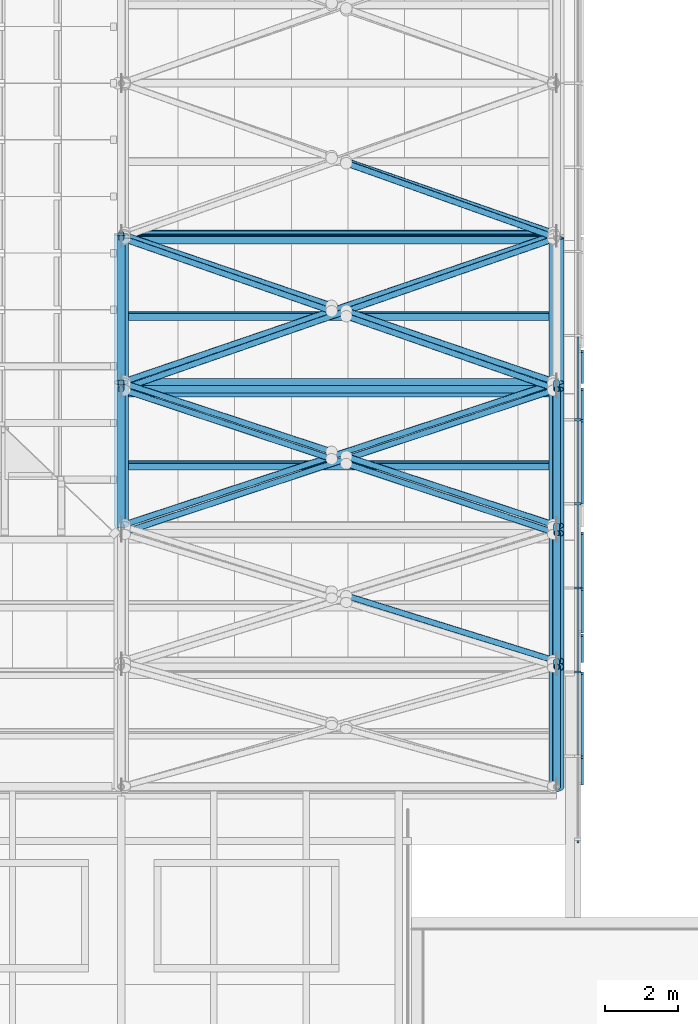
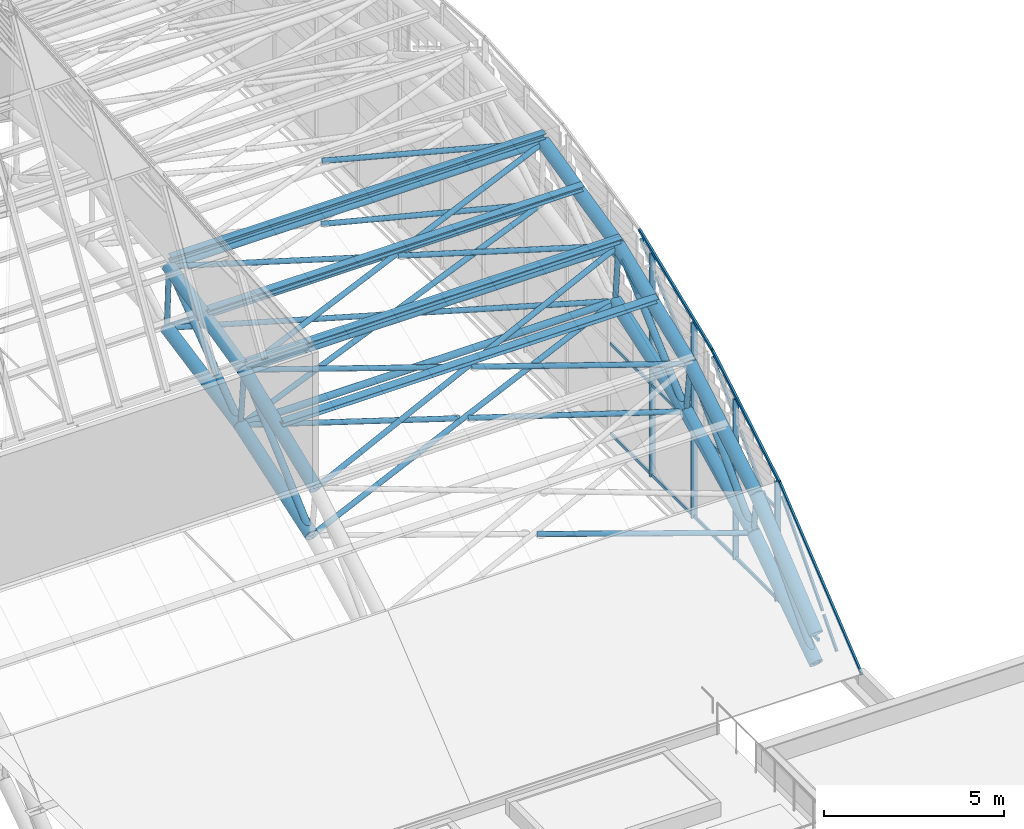
# One storey, part 30 of 110: 69 members, 1 element without a shape of its own.
"""IFC4 building model written with IfcOpenShell, lengths in metres."""

from ifc_helpers import new_model, si_unit, direction, frame, origin, origin_2d, place, context, subcontext, project, spatial, rectangle, hollow_circle, i_section, extrude, material, layer, layer_set, material_profile, profile_set, type_object, element, aggregate, save


model = new_model("IFC4")

# Units and contexts
model_context = context("Model", 3, precision=1e-05, world=origin(), true_north=direction((0.0, 1.0)))
body_context = subcontext(model_context, "Body", "Model", "MODEL_VIEW")
ifc_project = project(units=[si_unit("LENGTHUNIT", "METRE"), si_unit("AREAUNIT", "SQUARE_METRE"), si_unit("VOLUMEUNIT", "CUBIC_METRE"), si_unit("PLANEANGLEUNIT", "RADIAN"), si_unit("MASSUNIT", "GRAM", prefix="KILO")], contexts=[model_context])

# Site, building, storey
site_placement = place(None, origin())
site = spatial("IfcSite", under=ifc_project, at=site_placement, CompositionType="ELEMENT")
building_placement = place(site_placement, origin())
building = spatial("IfcBuilding", under=site, at=building_placement, Name="Windward Yard Aquatics Centre", CompositionType="ELEMENT")
storey_placement = place(building_placement, frame((0.0, 0.0, 22.60009765625)))
storey = spatial("IfcBuildingStorey", under=building, at=storey_placement, Name="L05", CompositionType="ELEMENT", Elevation=22.60009765625)

# Curtain wall, members
ifc_material_1 = material(Name="Glass and aluminium curtain wall", Category="aluminium")
ifc_layer = layer(ifc_material_1, 0.179931640625)
ifc_layer_set = layer_set([ifc_layer], Name="H gable glazing system double glazed 8+16+8")
curtain_wall_type = type_object("IfcCurtainWallType", Name="H gable glazing system double glazed 8+16+8", PredefinedType="NOTDEFINED", material=ifc_layer_set)
curtain_wall_placement = place(storey_placement, origin())
curtain_wall = element("IfcCurtainWall", 1, at=curtain_wall_placement, inside=storey, type_object=curtain_wall_type, Name="Gable glazing E", PredefinedType="NOTDEFINED")
ifc_material_2 = material(Name="Aluminium 6063-T6 anodised", Category="aluminium")
ifc_material_profile_1 = material_profile(ifc_material_2, rectangle(XDim=0.06494140625, YDim=0.179931640625, at=origin_2d()), Name="H CW mullion 65x180")
ifc_profile_set_1 = profile_set([ifc_material_profile_1], Name="Aluminium 6063-T6 anodised")
member_type_1 = type_object("IfcMemberType", Name="H CW mullion 65x180", PredefinedType="MULLION", material=ifc_profile_set_1)
member_1_placement = place(storey_placement, frame((144.590087890625, 44.765380859375, 0.0), z_axis=(0.0, 0.0, 1.0), x_axis=(0.0, 1.0, 0.0)))
member_1 = element("IfcMember", 2, at=member_1_placement, type_object=member_type_1, Name="Gable mullion 3", PredefinedType="MULLION", context=body_context, shape_type="SweptSolid", body=[
    extrude(rectangle(XDim=0.06494140625, YDim=0.179931640625, at=origin_2d()), origin(), (0.0, 0.0, 1.0), 4.061767578125),
])
member_2_placement = place(storey_placement, frame((144.590087890625, 47.08447265625, 0.0), z_axis=(0.0, 0.0, 1.0), x_axis=(0.0, 1.0, 0.0)))
member_2 = element("IfcMember", 3, at=member_2_placement, type_object=member_type_1, Name="Gable mullion 4", PredefinedType="MULLION", context=body_context, shape_type="SweptSolid", body=[
    extrude(rectangle(XDim=0.06494140625, YDim=0.179931640625, at=origin_2d()), origin(), (0.0, 0.0, 1.0), 5.436279296875),
])
member_3_placement = place(storey_placement, frame((144.590087890625, 49.40380859375, 0.0), z_axis=(0.0, 0.0, 1.0), x_axis=(0.0, 1.0, 0.0)))
member_3 = element("IfcMember", 4, at=member_3_placement, type_object=member_type_1, Name="Gable mullion 5", PredefinedType="MULLION", context=body_context, shape_type="SweptSolid", body=[
    extrude(rectangle(XDim=0.06494140625, YDim=0.179931640625, at=origin_2d()), origin(), (0.0, 0.0, 1.0), 6.629150390625),
])
member_4_placement = place(storey_placement, frame((144.590087890625, 51.72314453125, 0.0), z_axis=(0.0, 0.0, 1.0), x_axis=(0.0, 1.0, 0.0)))
member_4 = element("IfcMember", 5, at=member_4_placement, type_object=member_type_1, Name="Gable mullion 6", PredefinedType="MULLION", context=body_context, shape_type="SweptSolid", body=[
    extrude(rectangle(XDim=0.06494140625, YDim=0.179931640625, at=origin_2d()), origin(), (0.0, 0.0, 1.0), 7.561279296875),
])
ifc_material_profile_2 = material_profile(ifc_material_2, rectangle(XDim=0.06494140625, YDim=0.10009765625, at=origin_2d()), Name="H CW transom 65x100")
ifc_profile_set_2 = profile_set([ifc_material_profile_2], Name="Aluminium 6063-T6 anodised")
member_type_2 = type_object("IfcMemberType", Name="H CW transom 65x100", PredefinedType="USERDEFINED", material=ifc_profile_set_2)
member_5_placement = place(storey_placement, frame((144.590087890625, 40.088623046875, 0.322998046875), z_axis=(0.0, 0.772760999617, 0.634697122627), x_axis=(-1.0, 0.0, 0.0)))
member_5 = element("IfcMember", 6, at=member_5_placement, type_object=member_type_2, Name="Gable head rail 1", ObjectType="TRANSOM", PredefinedType="USERDEFINED", context=body_context, shape_type="SweptSolid", body=[
    extrude(rectangle(XDim=0.06494140625, YDim=0.10009765625, at=origin_2d()), origin(), (0.0, 0.0, 1.0), 5.907958984375),
])
member_6_placement = place(storey_placement, frame((144.590087890625, 44.660400390625, 4.076904296875), z_axis=(0.0, 0.860254982192, 0.50986406582), x_axis=(-1.0, 0.0, 0.0)))
member_6 = element("IfcMember", 7, at=member_6_placement, type_object=member_type_2, Name="Gable head rail 2", ObjectType="TRANSOM", PredefinedType="USERDEFINED", context=body_context, shape_type="SweptSolid", body=[
    extrude(rectangle(XDim=0.06494140625, YDim=0.10009765625, at=origin_2d()), origin(), (0.0, 0.0, 1.0), 4.340087890625),
])
member_7_placement = place(storey_placement, frame((144.590087890625, 48.40087890625, 6.29296875), z_axis=(0.0, 0.927866338697, 0.372912935566), x_axis=(-1.0, 0.0, 0.0)))
member_7 = element("IfcMember", 8, at=member_7_placement, type_object=member_type_2, Name="Gable head rail 3", ObjectType="TRANSOM", PredefinedType="USERDEFINED", context=body_context, shape_type="SweptSolid", body=[
    extrude(rectangle(XDim=0.06494140625, YDim=0.10009765625, at=origin_2d()), origin(), (0.0, 0.0, 1.0), 4.33984375),
])
member_8_placement = place(storey_placement, frame((144.590087890625, 42.478515625, 0.0498046875), z_axis=(0.0, 1.0, 0.0), x_axis=(-1.0, 0.0, 0.0)))
member_8 = element("IfcMember", 9, at=member_8_placement, type_object=member_type_2, Name="Gable transom 2.1", ObjectType="TRANSOM", PredefinedType="USERDEFINED", context=body_context, shape_type="SweptSolid", body=[
    extrude(rectangle(XDim=0.06494140625, YDim=0.10009765625, at=origin_2d()), origin(), (0.0, 0.0, 1.0), 2.25439453125),
])
member_9_placement = place(storey_placement, frame((144.590087890625, 44.7978515625, 0.0498046875), z_axis=(0.0, 1.0, 0.0), x_axis=(-1.0, 0.0, 0.0)))
member_9 = element("IfcMember", 10, at=member_9_placement, type_object=member_type_2, Name="Gable transom 3.1", ObjectType="TRANSOM", PredefinedType="USERDEFINED", context=body_context, shape_type="SweptSolid", body=[
    extrude(rectangle(XDim=0.06494140625, YDim=0.10009765625, at=origin_2d()), origin(), (0.0, 0.0, 1.0), 2.254150390625),
])
member_10_placement = place(storey_placement, frame((144.590087890625, 44.7978515625, 3.099853515625), z_axis=(0.0, 1.0, 0.0), x_axis=(-1.0, 0.0, 0.0)))
member_10 = element("IfcMember", 11, at=member_10_placement, type_object=member_type_2, Name="Gable transom 3.2", ObjectType="TRANSOM", PredefinedType="USERDEFINED", context=body_context, shape_type="SweptSolid", body=[
    extrude(rectangle(XDim=0.06494140625, YDim=0.10009765625, at=origin_2d()), origin(), (0.0, 0.0, 1.0), 2.254150390625),
])
member_11_placement = place(storey_placement, frame((144.590087890625, 47.1171875, 0.0498046875), z_axis=(0.0, 1.0, 0.0), x_axis=(-1.0, 0.0, 0.0)))
member_11 = element("IfcMember", 12, at=member_11_placement, type_object=member_type_2, Name="Gable transom 4.1", ObjectType="TRANSOM", PredefinedType="USERDEFINED", context=body_context, shape_type="SweptSolid", body=[
    extrude(rectangle(XDim=0.06494140625, YDim=0.10009765625, at=origin_2d()), origin(), (0.0, 0.0, 1.0), 2.254150390625),
])
member_12_placement = place(storey_placement, frame((144.590087890625, 47.1171875, 3.099853515625), z_axis=(0.0, 1.0, 0.0), x_axis=(-1.0, 0.0, 0.0)))
member_12 = element("IfcMember", 13, at=member_12_placement, type_object=member_type_2, Name="Gable transom 4.2", ObjectType="TRANSOM", PredefinedType="USERDEFINED", context=body_context, shape_type="SweptSolid", body=[
    extrude(rectangle(XDim=0.06494140625, YDim=0.10009765625, at=origin_2d()), origin(), (0.0, 0.0, 1.0), 2.254150390625),
])
member_13_placement = place(storey_placement, frame((144.590087890625, 49.436279296875, 0.0498046875), z_axis=(0.0, 1.0, 0.0), x_axis=(-1.0, 0.0, 0.0)))
member_13 = element("IfcMember", 14, at=member_13_placement, type_object=member_type_2, Name="Gable transom 5.1", ObjectType="TRANSOM", PredefinedType="USERDEFINED", context=body_context, shape_type="SweptSolid", body=[
    extrude(rectangle(XDim=0.06494140625, YDim=0.10009765625, at=origin_2d()), origin(), (0.0, 0.0, 1.0), 2.25439453125),
])
member_14_placement = place(storey_placement, frame((144.590087890625, 49.436279296875, 3.099853515625), z_axis=(0.0, 1.0, 0.0), x_axis=(-1.0, 0.0, 0.0)))
member_14 = element("IfcMember", 15, at=member_14_placement, type_object=member_type_2, Name="Gable transom 5.2", ObjectType="TRANSOM", PredefinedType="USERDEFINED", context=body_context, shape_type="SweptSolid", body=[
    extrude(rectangle(XDim=0.06494140625, YDim=0.10009765625, at=origin_2d()), origin(), (0.0, 0.0, 1.0), 2.25439453125),
])
member_15_placement = place(storey_placement, frame((144.590087890625, 51.755615234375, 0.0498046875), z_axis=(0.0, 1.0, 0.0), x_axis=(-1.0, 0.0, 0.0)))
member_15 = element("IfcMember", 16, at=member_15_placement, type_object=member_type_2, Name="Gable transom 6.1", ObjectType="TRANSOM", PredefinedType="USERDEFINED", context=body_context, shape_type="SweptSolid", body=[
    extrude(rectangle(XDim=0.06494140625, YDim=0.10009765625, at=origin_2d()), origin(), (0.0, 0.0, 1.0), 2.254150390625),
])
member_16_placement = place(storey_placement, frame((144.590087890625, 51.755615234375, 3.099853515625), z_axis=(0.0, 1.0, 0.0), x_axis=(-1.0, 0.0, 0.0)))
member_16 = element("IfcMember", 17, at=member_16_placement, type_object=member_type_2, Name="Gable transom 6.2", ObjectType="TRANSOM", PredefinedType="USERDEFINED", context=body_context, shape_type="SweptSolid", body=[
    extrude(rectangle(XDim=0.06494140625, YDim=0.10009765625, at=origin_2d()), origin(), (0.0, 0.0, 1.0), 2.254150390625),
])
member_17_placement = place(storey_placement, frame((144.590087890625, 51.755615234375, 6.199951171875), z_axis=(0.0, 1.0, 0.0), x_axis=(-1.0, 0.0, 0.0)))
member_17 = element("IfcMember", 18, at=member_17_placement, type_object=member_type_2, Name="Gable transom 6.3", ObjectType="TRANSOM", PredefinedType="USERDEFINED", context=body_context, shape_type="SweptSolid", body=[
    extrude(rectangle(XDim=0.06494140625, YDim=0.10009765625, at=origin_2d()), origin(), (0.0, 0.0, 1.0), 2.254150390625),
])
member_18_placement = place(storey_placement, frame((144.71240234375, 41.68896484375, 0.099853515625), z_axis=(0.0, 0.664586182346, 0.747211620784), x_axis=(-1.0, 0.0, 0.0)))
member_18 = element("IfcMember", 19, at=member_18_placement, type_object=member_type_2, Name="Gable cover strip 1.1", ObjectType="COVER STRIP", PredefinedType="USERDEFINED", context=body_context, shape_type="SweptSolid", body=[
    extrude(rectangle(XDim=0.06494140625, YDim=0.10009765625, at=origin_2d()), origin(), (0.0, 0.0, 1.0), 1.09033203125),
])
member_19_placement = place(storey_placement, frame((144.71240234375, 42.478515625, 0.987548828125), z_axis=(0.0, 0.664694400873, 0.747115354847), x_axis=(-1.0, 0.0, 0.0)))
member_19 = element("IfcMember", 20, at=member_19_placement, type_object=member_type_2, Name="Gable cover strip 1.2", ObjectType="COVER STRIP", PredefinedType="USERDEFINED", context=body_context, shape_type="SweptSolid", body=[
    extrude(rectangle(XDim=0.06494140625, YDim=0.10009765625, at=origin_2d()), origin(), (0.0, 0.0, 1.0), 3.3916015625),
])
member_20_placement = place(storey_placement, frame((144.71240234375, 45.064697265625, 2.319580078125), z_axis=(0.0, 0.701606113991, 0.712564987079), x_axis=(-1.0, 0.0, 0.0)))
member_20 = element("IfcMember", 21, at=member_20_placement, type_object=member_type_2, Name="Gable cover strip 2.1", ObjectType="COVER STRIP", PredefinedType="USERDEFINED", context=body_context, shape_type="SweptSolid", body=[
    extrude(rectangle(XDim=0.06494140625, YDim=0.10009765625, at=origin_2d()), origin(), (0.0, 0.0, 1.0), 1.02490234375),
])
member_21_placement = place(storey_placement, frame((144.71240234375, 45.882080078125, 3.14990234375), z_axis=(0.0, 0.701595103433, 0.712575828132), x_axis=(-1.0, 0.0, 0.0)))
member_21 = element("IfcMember", 22, at=member_21_placement, type_object=member_type_2, Name="Gable cover strip 2.2", ObjectType="COVER STRIP", PredefinedType="USERDEFINED", context=body_context, shape_type="SweptSolid", body=[
    extrude(rectangle(XDim=0.06494140625, YDim=0.10009765625, at=origin_2d()), origin(), (0.0, 0.0, 1.0), 1.66748046875),
])
member_22_placement = place(storey_placement, frame((144.71240234375, 47.1171875, 4.404052734375), z_axis=(0.0, 0.701562472917, 0.712607954344), x_axis=(-1.0, 0.0, 0.0)))
member_22 = element("IfcMember", 23, at=member_22_placement, type_object=member_type_2, Name="Gable cover strip 2.3", ObjectType="COVER STRIP", PredefinedType="USERDEFINED", context=body_context, shape_type="SweptSolid", body=[
    extrude(rectangle(XDim=0.06494140625, YDim=0.10009765625, at=origin_2d()), origin(), (0.0, 0.0, 1.0), 2.099853515625),
])
member_23_placement = place(storey_placement, frame((144.71240234375, 49.436279296875, 4.727783203125), z_axis=(0.0, 0.748615772078, 0.66300409184), x_axis=(-1.0, 0.0, 0.0)))
member_23 = element("IfcMember", 24, at=member_23_placement, type_object=member_type_2, Name="Gable cover strip 3.2", ObjectType="COVER STRIP", PredefinedType="USERDEFINED", context=body_context, shape_type="SweptSolid", body=[
    extrude(rectangle(XDim=0.06494140625, YDim=0.10009765625, at=origin_2d()), origin(), (0.0, 0.0, 1.0), 3.011474609375),
])
member_24_placement = place(storey_placement, frame((144.71240234375, 51.755615234375, 6.781982421875), z_axis=(0.0, 0.748507881911, 0.663125893566), x_axis=(-1.0, 0.0, 0.0)))
member_24 = element("IfcMember", 25, at=member_24_placement, type_object=member_type_2, Name="Gable cover strip 3.3", ObjectType="COVER STRIP", PredefinedType="USERDEFINED", context=body_context, shape_type="SweptSolid", body=[
    extrude(rectangle(XDim=0.06494140625, YDim=0.10009765625, at=origin_2d()), origin(), (0.0, 0.0, 1.0), 1.077880859375),
])
member_25_placement = place(storey_placement, frame((144.71240234375, 52.750244140625, 5.5087890625), z_axis=(0.0, 0.802420487219, 0.596759048269), x_axis=(-1.0, 0.0, 0.0)))
member_25 = element("IfcMember", 26, at=member_25_placement, type_object=member_type_2, Name="Gable cover strip 4.1", ObjectType="COVER STRIP", PredefinedType="USERDEFINED", context=body_context, shape_type="SweptSolid", body=[
    extrude(rectangle(XDim=0.06494140625, YDim=0.10009765625, at=origin_2d()), origin(), (0.0, 0.0, 1.0), 1.07421875),
])
aggregate(curtain_wall, [member_1, member_2, member_3, member_4, member_5, member_6, member_7, member_8, member_9, member_10, member_11, member_12, member_13, member_14, member_15, member_16, member_17, member_18, member_19, member_20, member_21, member_22, member_23, member_24, member_25])

# Members
ifc_material_3 = material(Name="Steel ASTM A500 Gr C", Category="steel")
ifc_material_profile_3 = material_profile(ifc_material_3, hollow_circle(Radius=0.084228515625, WallThickness=0.010986328125, at=origin_2d()), Name="HSS168.3X11")
ifc_profile_set_3 = profile_set([ifc_material_profile_3], Name="Steel ASTM A500 Gr C")
member_type_3 = type_object("IfcMemberType", Name="H arch post HSS168.3X11", PredefinedType="POST", material=ifc_profile_set_3)
member_26_placement = place(storey_placement, frame((132.0, 52.750244140625, 5.5087890625), z_axis=(0.0, -0.094018625473, 0.995570438525), x_axis=(1.0, 0.0, 0.0)))
element("IfcMember", 27, at=member_26_placement, inside=storey, type_object=member_type_3, Name="H.AT.7.WP04", PredefinedType="POST", context=body_context, shape_type="SweptSolid", body=[
    extrude(hollow_circle(Radius=0.084228515625, WallThickness=0.010986328125, at=origin_2d()), origin(), (0.0, 0.0, 1.0), 1.996826171875),
])
member_27_placement = place(storey_placement, frame((132.0, 56.83935546875, 6.323486328125), z_axis=(0.0, -0.050215263417, 0.998738417865), x_axis=(1.0, 0.0, 0.0)))
element("IfcMember", 28, at=member_27_placement, inside=storey, type_object=member_type_3, Name="H.AT.7.WP05", PredefinedType="POST", context=body_context, shape_type="SweptSolid", body=[
    extrude(hollow_circle(Radius=0.084228515625, WallThickness=0.010986328125, at=origin_2d()), origin(), (0.0, 0.0, 1.0), 2.14892578125),
])
member_28_placement = place(storey_placement, frame((144.0, 45.064697265625, 2.319580078125), z_axis=(0.0, -0.111745510026, 0.993736857015), x_axis=(1.0, 0.0, 0.0)))
element("IfcMember", 29, at=member_28_placement, inside=storey, type_object=member_type_3, Name="H.AT.8.WP02", PredefinedType="POST", context=body_context, shape_type="SweptSolid", body=[
    extrude(hollow_circle(Radius=0.084228515625, WallThickness=0.010986328125, at=origin_2d()), origin(), (0.0, 0.0, 1.0), 1.406982421875),
])
member_29_placement = place(storey_placement, frame((144.0, 48.802734375, 4.16650390625), z_axis=(0.0, -0.121591772527, 0.992580193664), x_axis=(1.0, 0.0, 0.0)))
element("IfcMember", 30, at=member_29_placement, inside=storey, type_object=member_type_3, Name="H.AT.8.WP03", PredefinedType="POST", context=body_context, shape_type="SweptSolid", body=[
    extrude(hollow_circle(Radius=0.084228515625, WallThickness=0.010986328125, at=origin_2d()), origin(), (0.0, 0.0, 1.0), 1.746826171875),
])
member_30_placement = place(storey_placement, frame((144.0, 52.750244140625, 5.5087890625), z_axis=(0.0, -0.094018625473, 0.995570438525), x_axis=(1.0, 0.0, 0.0)))
element("IfcMember", 31, at=member_30_placement, inside=storey, type_object=member_type_3, Name="H.AT.8.WP04", PredefinedType="POST", context=body_context, shape_type="SweptSolid", body=[
    extrude(hollow_circle(Radius=0.084228515625, WallThickness=0.010986328125, at=origin_2d()), origin(), (0.0, 0.0, 1.0), 1.996826171875),
])
ifc_material_profile_4 = material_profile(ifc_material_3, hollow_circle(Radius=0.203125, WallThickness=0.015869140625, at=origin_2d()), Name="HSS406.4X15.9")
ifc_profile_set_4 = profile_set([ifc_material_profile_4], Name="Steel ASTM A500 Gr C")
member_type_4 = type_object("IfcMemberType", Name="H arch top chord HSS406.4X15.9", PredefinedType="CHORD", material=ifc_profile_set_4)
member_31_placement = place(storey_placement, frame((132.0, 48.59033203125, 5.900390625), z_axis=(0.0, 0.92786581708, 0.372914233429), x_axis=(-1.0, 0.0, 0.0)))
element("IfcMember", 32, at=member_31_placement, inside=storey, type_object=member_type_4, Name="H.AT.7.TC03", PredefinedType="CHORD", context=body_context, shape_type="SweptSolid", body=[
    extrude(hollow_circle(Radius=0.203125, WallThickness=0.015869140625, at=origin_2d()), origin(), (0.0, 0.0, 1.0), 4.281005859375),
])
member_32_placement = place(storey_placement, frame((132.0, 48.802734375, 4.16650390625), z_axis=(0.0, 0.946763107829, 0.321931075938), x_axis=(-1.0, 0.0, 0.0)))
element("IfcMember", 33, at=member_32_placement, inside=storey, type_object=member_type_4, Name="H.AT.7.BC03", PredefinedType="CHORD", context=body_context, shape_type="SweptSolid", body=[
    extrude(hollow_circle(Radius=0.203125, WallThickness=0.015869140625, at=origin_2d()), origin(), (0.0, 0.0, 1.0), 4.16943359375),
])
member_33_placement = place(storey_placement, frame((132.0, 52.5625, 7.496826171875), z_axis=(0.0, 0.973833637334, 0.227262066337), x_axis=(-1.0, 0.0, 0.0)))
element("IfcMember", 34, at=member_33_placement, inside=storey, type_object=member_type_4, Name="H.AT.7.TC04", PredefinedType="CHORD", context=body_context, shape_type="SweptSolid", body=[
    extrude(hollow_circle(Radius=0.203125, WallThickness=0.015869140625, at=origin_2d()), origin(), (0.0, 0.0, 1.0), 4.281005859375),
])
member_34_placement = place(storey_placement, frame((132.0, 52.750244140625, 5.5087890625), z_axis=(0.0, 0.980724544319, 0.195395414914), x_axis=(-1.0, 0.0, 0.0)))
element("IfcMember", 35, at=member_34_placement, inside=storey, type_object=member_type_4, Name="H.AT.7.BC04", PredefinedType="CHORD", context=body_context, shape_type="SweptSolid", body=[
    extrude(hollow_circle(Radius=0.203125, WallThickness=0.015869140625, at=origin_2d()), origin(), (0.0, 0.0, 1.0), 4.16943359375),
])
member_35_placement = place(storey_placement, frame((144.0, 41.60009765625, 1.0), z_axis=(0.0, 0.772611352747, 0.634879277979), x_axis=(-1.0, 0.0, 0.0)))
element("IfcMember", 36, at=member_35_placement, inside=storey, type_object=member_type_4, Name="H.AT.8.TC01", PredefinedType="CHORD", context=body_context, shape_type="SweptSolid", body=[
    extrude(hollow_circle(Radius=0.203125, WallThickness=0.015869140625, at=origin_2d()), origin(), (0.0, 0.0, 1.0), 4.28076171875),
])
member_36_placement = place(storey_placement, frame((144.0, 41.60009765625, 0.0), z_axis=(0.0, 0.83095865789, 0.556334170151), x_axis=(-1.0, 0.0, 0.0)))
element("IfcMember", 37, at=member_36_placement, inside=storey, type_object=member_type_4, Name="H.AT.8.BC01", PredefinedType="CHORD", context=body_context, shape_type="SweptSolid", body=[
    extrude(hollow_circle(Radius=0.203125, WallThickness=0.015869140625, at=origin_2d()), origin(), (0.0, 0.0, 1.0), 4.16943359375),
])
member_37_placement = place(storey_placement, frame((144.0, 44.907470703125, 3.7177734375), z_axis=(0.0, 0.860273006082, 0.509833654251), x_axis=(-1.0, 0.0, 0.0)))
element("IfcMember", 38, at=member_37_placement, inside=storey, type_object=member_type_4, Name="H.AT.8.TC02", PredefinedType="CHORD", context=body_context, shape_type="SweptSolid", body=[
    extrude(hollow_circle(Radius=0.203125, WallThickness=0.015869140625, at=origin_2d()), origin(), (0.0, 0.0, 1.0), 4.281005859375),
])
member_38_placement = place(storey_placement, frame((144.0, 45.064697265625, 2.319580078125), z_axis=(0.0, 0.896536837976, 0.4429691842), x_axis=(-1.0, 0.0, 0.0)))
element("IfcMember", 39, at=member_38_placement, inside=storey, type_object=member_type_4, Name="H.AT.8.BC02", PredefinedType="CHORD", context=body_context, shape_type="SweptSolid", body=[
    extrude(hollow_circle(Radius=0.203125, WallThickness=0.015869140625, at=origin_2d()), origin(), (0.0, 0.0, 1.0), 4.16943359375),
])
member_39_placement = place(storey_placement, frame((144.0, 48.59033203125, 5.900390625), z_axis=(0.0, 0.92786581708, 0.372914233429), x_axis=(-1.0, 0.0, 0.0)))
element("IfcMember", 40, at=member_39_placement, inside=storey, type_object=member_type_4, Name="H.AT.8.TC03", PredefinedType="CHORD", context=body_context, shape_type="SweptSolid", body=[
    extrude(hollow_circle(Radius=0.203125, WallThickness=0.015869140625, at=origin_2d()), origin(), (0.0, 0.0, 1.0), 4.281005859375),
])
member_40_placement = place(storey_placement, frame((144.0, 48.802734375, 4.16650390625), z_axis=(0.0, 0.946763107829, 0.321931075938), x_axis=(-1.0, 0.0, 0.0)))
element("IfcMember", 41, at=member_40_placement, inside=storey, type_object=member_type_4, Name="H.AT.8.BC03", PredefinedType="CHORD", context=body_context, shape_type="SweptSolid", body=[
    extrude(hollow_circle(Radius=0.203125, WallThickness=0.015869140625, at=origin_2d()), origin(), (0.0, 0.0, 1.0), 4.16943359375),
])
member_41_placement = place(storey_placement, frame((144.0, 52.5625, 7.496826171875), z_axis=(0.0, 0.973833637334, 0.227262066337), x_axis=(-1.0, 0.0, 0.0)))
element("IfcMember", 42, at=member_41_placement, inside=storey, type_object=member_type_4, Name="H.AT.8.TC04", PredefinedType="CHORD", context=body_context, shape_type="SweptSolid", body=[
    extrude(hollow_circle(Radius=0.203125, WallThickness=0.015869140625, at=origin_2d()), origin(), (0.0, 0.0, 1.0), 4.281005859375),
])
ifc_material_profile_5 = material_profile(ifc_material_3, hollow_circle(Radius=0.109619140625, WallThickness=0.00830078125, at=origin_2d()), Name="HSS219.1X8.2")
ifc_profile_set_5 = profile_set([ifc_material_profile_5], Name="Steel ASTM A500 Gr C")
member_type_5 = type_object("IfcMemberType", Name="H arch web diagonal HSS219.1X8.2", PredefinedType="BRACE", material=ifc_profile_set_5)
member_42_placement = place(storey_placement, frame((132.0, 48.802734375, 4.16650390625), z_axis=(0.0, 0.748564053538, 0.663062484047), x_axis=(-1.0, 0.0, 0.0)))
element("IfcMember", 43, at=member_42_placement, inside=storey, type_object=member_type_5, Name="H.AT.7.WD03", PredefinedType="BRACE", context=body_context, shape_type="SweptSolid", body=[
    extrude(hollow_circle(Radius=0.109619140625, WallThickness=0.00830078125, at=origin_2d()), origin(), (0.0, 0.0, 1.0), 5.022705078125),
])
member_43_placement = place(storey_placement, frame((132.0, 52.750244140625, 5.5087890625), z_axis=(0.0, 0.802408568981, 0.596775073563), x_axis=(-1.0, 0.0, 0.0)))
element("IfcMember", 44, at=member_43_placement, inside=storey, type_object=member_type_5, Name="H.AT.7.WD04", PredefinedType="BRACE", context=body_context, shape_type="SweptSolid", body=[
    extrude(hollow_circle(Radius=0.109619140625, WallThickness=0.00830078125, at=origin_2d()), origin(), (0.0, 0.0, 1.0), 4.961669921875),
])
member_44_placement = place(storey_placement, frame((144.0, 41.60009765625, 0.0), z_axis=(0.0, 0.664665272452, 0.747141268835), x_axis=(-1.0, 0.0, 0.0)))
element("IfcMember", 45, at=member_44_placement, inside=storey, type_object=member_type_5, Name="H.AT.8.WD01", PredefinedType="BRACE", context=body_context, shape_type="SweptSolid", body=[
    extrude(hollow_circle(Radius=0.109619140625, WallThickness=0.00830078125, at=origin_2d()), origin(), (0.0, 0.0, 1.0), 4.97607421875),
])
member_45_placement = place(storey_placement, frame((144.0, 45.064697265625, 2.319580078125), z_axis=(0.0, 0.701595524129, 0.712575413919), x_axis=(-1.0, 0.0, 0.0)))
element("IfcMember", 46, at=member_45_placement, inside=storey, type_object=member_type_5, Name="H.AT.8.WD02", PredefinedType="BRACE", context=body_context, shape_type="SweptSolid", body=[
    extrude(hollow_circle(Radius=0.109619140625, WallThickness=0.00830078125, at=origin_2d()), origin(), (0.0, 0.0, 1.0), 5.025146484375),
])
member_46_placement = place(storey_placement, frame((144.0, 48.802734375, 4.16650390625), z_axis=(0.0, 0.748564053538, 0.663062484047), x_axis=(-1.0, 0.0, 0.0)))
element("IfcMember", 47, at=member_46_placement, inside=storey, type_object=member_type_5, Name="H.AT.8.WD03", PredefinedType="BRACE", context=body_context, shape_type="SweptSolid", body=[
    extrude(hollow_circle(Radius=0.109619140625, WallThickness=0.00830078125, at=origin_2d()), origin(), (0.0, 0.0, 1.0), 5.022705078125),
])
ifc_material_profile_6 = material_profile(ifc_material_3, hollow_circle(Radius=0.084228515625, WallThickness=0.007080078125, at=origin_2d()), Name="HSS168.3X7.1")
ifc_profile_set_6 = profile_set([ifc_material_profile_6], Name="Steel ASTM A500 Gr C")
member_type_6 = type_object("IfcMemberType", Name="H roof brace HSS168.3X7.1", PredefinedType="BRACE", material=ifc_profile_set_6)
member_47_placement = place(storey_placement, frame((132.0, 48.59033203125, 5.900390625), z_axis=(0.941859739241, 0.311768757272, 0.125301530658), x_axis=(-0.314245417859, 0.949341781107, 0.0)))
element("IfcMember", 48, at=member_47_placement, inside=storey, type_object=member_type_6, Name="H.RB.7.T03A", PredefinedType="BRACE", context=body_context, shape_type="SweptSolid", body=[
    extrude(hollow_circle(Radius=0.084228515625, WallThickness=0.007080078125, at=origin_2d()), origin(), (0.0, 0.0, 1.0), 12.74072265625),
])
for number, where, z_axis, x_axis, name in (
    (49, (132.0, 52.5625, 7.496826171875), (0.941858333374, -0.311780859237, -0.125281984609), (0.314256834084, 0.9493380021, 0.0), "H.RB.7.T03B1"),
    (50, (138.1064453125, 50.541259765625, 6.6845703125), (0.941853728826, -0.311779335006, -0.125320388442), (0.314256834084, 0.9493380021, 0.0), "H.RB.7.T03B2"),
):
    element("IfcMember", number, at=place(storey_placement, frame(where, z_axis=z_axis, x_axis=x_axis)), inside=storey, type_object=member_type_6, Name=name, PredefinedType="BRACE", context=body_context, shape_type="SweptSolid", body=[
        extrude(hollow_circle(Radius=0.084228515625, WallThickness=0.007080078125, at=origin_2d()), origin(), (0.0, 0.0, 1.0), 6.25732421875),
    ])
member_48_placement = place(storey_placement, frame((132.0, 52.5625, 7.496826171875), z_axis=(0.941859984788, 0.327213564051, 0.076361328926), x_axis=(-0.32817175629, 0.944618070108, 0.0)))
element("IfcMember", 51, at=member_48_placement, inside=storey, type_object=member_type_6, Name="H.RB.7.T04A", PredefinedType="BRACE", context=body_context, shape_type="SweptSolid", body=[
    extrude(hollow_circle(Radius=0.084228515625, WallThickness=0.007080078125, at=origin_2d()), origin(), (0.0, 0.0, 1.0), 12.74072265625),
])
for number, where, z_axis, x_axis, name in (
    (52, (132.0, 56.7314453125, 8.4697265625), (0.941866761957, -0.327195305127, -0.07635597569), (0.328153308973, 0.944624478727, 0.0), "H.RB.7.T04B1"),
    (53, (138.1064453125, 54.610107421875, 7.974609375), (0.941854737477, -0.327230144292, -0.07635500088), (0.328188225573, 0.944612348318, 0.0), "H.RB.7.T04B2"),
    (54, (138.1064453125, 58.827880859375, 8.63037109375), (0.941856232178, -0.335033946384, -0.025672800363), (0.335144410202, 0.942166770965, 0.0), "H.RB.7.T05B2"),
):
    element("IfcMember", number, at=place(storey_placement, frame(where, z_axis=z_axis, x_axis=x_axis)), inside=storey, type_object=member_type_6, Name=name, PredefinedType="BRACE", context=body_context, shape_type="SweptSolid", body=[
        extrude(hollow_circle(Radius=0.084228515625, WallThickness=0.007080078125, at=origin_2d()), origin(), (0.0, 0.0, 1.0), 6.25732421875),
    ])
member_49_placement = place(storey_placement, frame((138.109375, 46.899658203125, 3.226318359375), z_axis=(0.944603517072, -0.294249006727, -0.145401917374), x_axis=(0.297409677169, 0.954749958851, 0.0)))
element("IfcMember", 55, at=member_49_placement, inside=storey, type_object=member_type_6, Name="H.RB.7.B02B2", PredefinedType="BRACE", context=body_context, shape_type="SweptSolid", body=[
    extrude(hollow_circle(Radius=0.084228515625, WallThickness=0.007080078125, at=origin_2d()), origin(), (0.0, 0.0, 1.0), 6.236083984375),
])
member_50_placement = place(storey_placement, frame((132.0, 48.802734375, 4.16650390625), z_axis=(0.944605023876, 0.310736463034, 0.105660775172), x_axis=(-0.312485685154, 0.949922468717, 0.0)))
element("IfcMember", 56, at=member_50_placement, inside=storey, type_object=member_type_6, Name="H.RB.7.B03A", PredefinedType="BRACE", context=body_context, shape_type="SweptSolid", body=[
    extrude(hollow_circle(Radius=0.084228515625, WallThickness=0.007080078125, at=origin_2d()), origin(), (0.0, 0.0, 1.0), 12.70361328125),
])
for number, where, z_axis, x_axis, name in (
    (57, (132.0, 52.750244140625, 5.5087890625), (0.944606037687, -0.310731851837, -0.105665272535), (0.312481198168, 0.94992394474, 0.0), "H.RB.7.B03B1"),
    (58, (138.109375, 50.740478515625, 4.825439453125), (0.944606037687, -0.310731851837, -0.105665272535), (0.312481198168, 0.94992394474, 0.0), "H.RB.7.B03B2"),
):
    element("IfcMember", number, at=place(storey_placement, frame(where, z_axis=z_axis, x_axis=x_axis)), inside=storey, type_object=member_type_6, Name=name, PredefinedType="BRACE", context=body_context, shape_type="SweptSolid", body=[
        extrude(hollow_circle(Radius=0.084228515625, WallThickness=0.007080078125, at=origin_2d()), origin(), (0.0, 0.0, 1.0), 6.236083984375),
    ])
member_51_placement = place(storey_placement, frame((132.0, 52.750244140625, 5.5087890625), z_axis=(0.944605023003, 0.321882925014, 0.064130594111), x_axis=(-0.322546883009, 0.946553489382, 0.0)))
element("IfcMember", 59, at=member_51_placement, inside=storey, type_object=member_type_6, Name="H.RB.7.B04A", PredefinedType="BRACE", context=body_context, shape_type="SweptSolid", body=[
    extrude(hollow_circle(Radius=0.084228515625, WallThickness=0.007080078125, at=origin_2d()), origin(), (0.0, 0.0, 1.0), 12.70361328125),
])
for number, where, z_axis, x_axis, name in (
    (60, (132.0, 56.83935546875, 6.323486328125), (0.944603317276, -0.321888613836, -0.064127164858), (0.322552512339, 0.946551571117, 0.0), "H.RB.7.B04B1"),
    (61, (138.109375, 54.757568359375, 5.90869140625), (0.944603317276, -0.321888613836, -0.064127164858), (0.322552512339, 0.946551571117, 0.0), "H.RB.7.B04B2"),
    (62, (138.109375, 58.8818359375, 6.457763671875), (0.94459743351, -0.327524126689, -0.021532186192), (0.327600078932, 0.944816483918, 0.0), "H.RB.7.B05B2"),
):
    element("IfcMember", number, at=place(storey_placement, frame(where, z_axis=z_axis, x_axis=x_axis)), inside=storey, type_object=member_type_6, Name=name, PredefinedType="BRACE", context=body_context, shape_type="SweptSolid", body=[
        extrude(hollow_circle(Radius=0.084228515625, WallThickness=0.007080078125, at=origin_2d()), origin(), (0.0, 0.0, 1.0), 6.236083984375),
    ])
ifc_material_4 = material(Name="Steel ASTM A992 Gr 50", Category="steel")
ifc_material_profile_7 = material_profile(ifc_material_4, i_section(OverallWidth=0.202880859375, OverallDepth=0.202880859375, WebThickness=0.00732421875, FlangeThickness=0.010986328125, at=origin_2d()), Name="W200X46.1")
ifc_profile_set_7 = profile_set([ifc_material_profile_7], Name="Steel ASTM A992 Gr 50")
member_type_7 = type_object("IfcMemberType", Name="H roof purlin W200X46.1", PredefinedType="PURLIN", material=ifc_profile_set_7)
for number, where, z_axis, x_axis, name in (
    (63, (132.0, 50.462890625, 6.9814453125), (1.0, 0.0, 0.0), (0.0, 0.927868526784, 0.372907491214), "H.PU.7.06"),
    (64, (132.0, 52.470947265625, 7.787353515625), (1.0, 0.0, 0.0), (0.0, 0.953632764452, 0.300972674115), "H.PU.7.07"),
    (65, (132.0, 54.577880859375, 8.280029296875), (1.0, 0.0, 0.0), (0.0, 0.973829299376, 0.227280653986), "H.PU.7.08"),
    (66, (132.0, 56.68505859375, 8.77099609375), (1.0, 0.0, 0.0), (0.0, 0.988340215831, 0.152261675321), "H.PU.7.09"),
):
    element("IfcMember", number, at=place(storey_placement, frame(where, z_axis=z_axis, x_axis=x_axis)), inside=storey, type_object=member_type_7, Name=name, PredefinedType="PURLIN", context=body_context, shape_type="SweptSolid", body=[
        extrude(i_section(OverallWidth=0.202880859375, OverallDepth=0.202880859375, WebThickness=0.00732421875, FlangeThickness=0.010986328125, at=origin_2d()), origin(), (0.0, 0.0, 1.0), 12.0),
    ])
ifc_material_profile_8 = material_profile(ifc_material_3, hollow_circle(Radius=0.109619140625, WallThickness=0.00830078125, at=origin_2d()), Name="HSS219.1X8.2")
ifc_profile_set_8 = profile_set([ifc_material_profile_8], Name="Steel ASTM A500 Gr C")
member_type_8 = type_object("IfcMemberType", Name="H roof strut HSS219.1X8.2", PredefinedType="STRUT", material=ifc_profile_set_8)
for number, where, z_axis, x_axis, name in (
    (67, (132.0, 52.5625, 7.496826171875), (1.0, 0.0, 0.0), (0.0, 1.0, 0.0), "H.RS.7.T04"),
    (68, (132.0, 56.7314453125, 8.4697265625), (1.0, 0.0, 0.0), (0.0, 1.0, 0.0), "H.RS.7.T05"),
    (69, (132.0, 52.750244140625, 5.5087890625), (1.0, 0.0, 0.0), (0.0, 1.0, 0.0), "H.RS.7.B04"),
    (70, (132.0, 56.83935546875, 6.323486328125), (1.0, 0.0, 0.0), (0.0, 1.0, 0.0), "H.RS.7.B05"),
):
    element("IfcMember", number, at=place(storey_placement, frame(where, z_axis=z_axis, x_axis=x_axis)), inside=storey, type_object=member_type_8, Name=name, PredefinedType="STRUT", context=body_context, shape_type="SweptSolid", body=[
        extrude(hollow_circle(Radius=0.109619140625, WallThickness=0.00830078125, at=origin_2d()), origin(), (0.0, 0.0, 1.0), 12.0),
    ])

save(model, "model.ifc")
